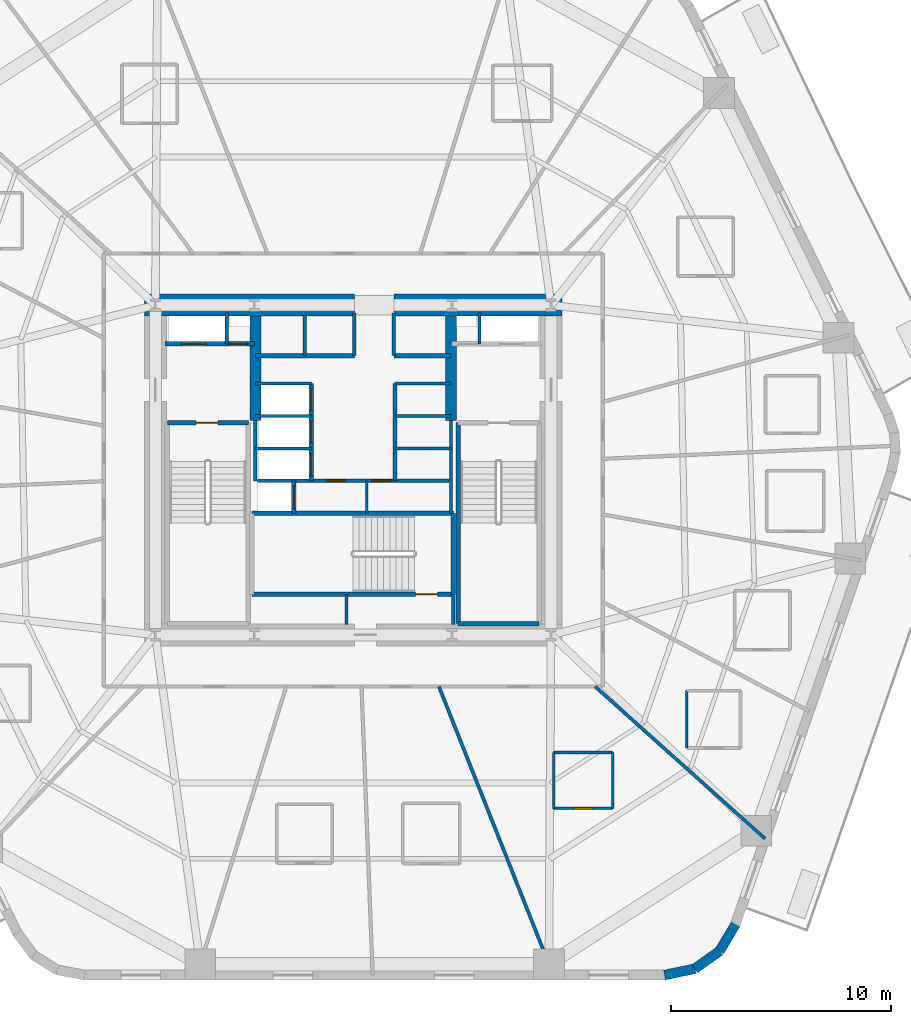
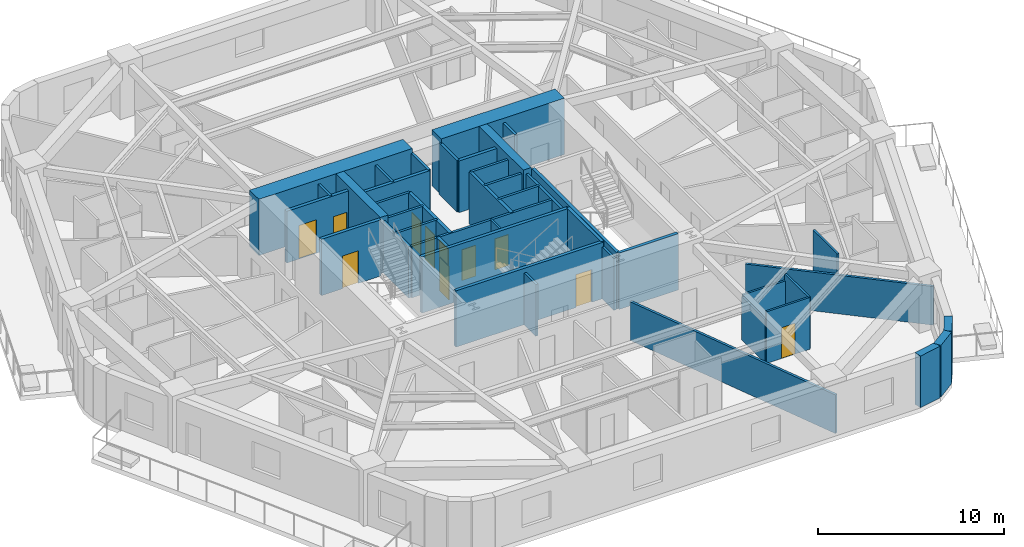
# One storey, part 4 of 10: 43 walls, 11 doors, 11 openings.
"""IFC4 building model written with IfcOpenShell, lengths in metres."""

import ifcopenshell
import ifcopenshell.guid

model = None  # the IFC model being written
_history = None  # IfcOwnerHistory: only IFC2X3 demands one
_inside = {}  # id of a spatial element -> (the spatial element, [elements in it])
_under = {}  # id of a project, library or spatial element -> (it, [spatial elements below it])
_declared = {}  # id of a project -> (the project, [libraries it declares])
_typed = {}  # id of a type object -> (the type object, [elements of that type])
_made_of = {}  # id of a material, layer set ... -> (it, [elements and type objects made of it])


def new_model(schema):
    """Start an empty IFC model of exactly this schema.

    Asked for "IFC4X3", IfcOpenShell would pick the latest addendum, in which some entities
    have other attributes; the version numbers below select the first issue.
    IFC2X3 requires an IfcOwnerHistory on every rooted entity: one is made here for all.
    """
    global model, _history
    if schema == "IFC4X3":
        model = ifcopenshell.file(schema_version=(4, 3, 0, 0))
    else:
        model = ifcopenshell.file(schema=schema)
    _inside.clear()
    _under.clear()
    _declared.clear()
    _typed.clear()
    _made_of.clear()
    _history = None
    if model.schema == "IFC2X3":
        org = make("IfcOrganization", Name="unknown")
        user = make(
            "IfcPersonAndOrganization",
            ThePerson=make("IfcPerson", FamilyName="unknown"),
            TheOrganization=org,
        )
        app = make(
            "IfcApplication",
            ApplicationDeveloper=org,
            Version="unknown",
            ApplicationFullName="unknown",
            ApplicationIdentifier="unknown",
        )
        _history = make(
            "IfcOwnerHistory",
            OwningUser=user,
            OwningApplication=app,
            ChangeAction="ADDED",
            CreationDate=0,
        )
    return model


def make(cls, **values):
    """One entity of the class cls with the attributes given. An attribute that is None is left unset."""
    return model.create_entity(
        cls, **{name: value for name, value in values.items() if value is not None}
    )


def rooted(cls, **values):
    """An entity with a GlobalId (a new one), such as an element, a storey or a relation."""
    return make(cls, GlobalId=ifcopenshell.guid.new(), OwnerHistory=_history, **values)


def si_unit(unit_type, name, prefix=None):
    """IfcSIUnit, for example si_unit("LENGTHUNIT", "METRE", prefix="MILLI")."""
    return make("IfcSIUnit", UnitType=unit_type, Prefix=prefix, Name=name)


def assignment(units):
    """IfcUnitAssignment: the units of a project."""
    return None if units is None else make("IfcUnitAssignment", Units=units)


def point(xyz):
    """IfcCartesianPoint."""
    return None if xyz is None else make("IfcCartesianPoint", Coordinates=xyz)


def direction(xyz):
    """IfcDirection."""
    return None if xyz is None else make("IfcDirection", DirectionRatios=xyz)


def frame(location, z_axis=None, x_axis=None):
    """IfcAxis2Placement3D, a coordinate frame: its origin and axes. An axis left out is left unset."""
    return make(
        "IfcAxis2Placement3D",
        Location=point(location),
        Axis=direction(z_axis),
        RefDirection=direction(x_axis),
    )


def frame_2d(location, x_axis=None):
    """IfcAxis2Placement2D, a coordinate frame in the plane: its origin and x axis."""
    return make(
        "IfcAxis2Placement2D", Location=point(location), RefDirection=direction(x_axis)
    )


def origin():
    """The frame at (0, 0, 0) with its axes left unset."""
    return frame((0.0, 0.0, 0.0))


def place(relative_to, where):
    """IfcLocalPlacement: puts the frame where relative to a parent placement (None: the world)."""
    return make(
        "IfcLocalPlacement", PlacementRelTo=relative_to, RelativePlacement=where
    )


def context(
    kind, dimensions, precision=None, world=None, true_north=None, identifier=None
):
    """IfcGeometricRepresentationContext, for example the 3D "Model" context."""
    return make(
        "IfcGeometricRepresentationContext",
        ContextIdentifier=identifier,
        ContextType=kind,
        CoordinateSpaceDimension=dimensions,
        Precision=precision,
        WorldCoordinateSystem=world,
        TrueNorth=true_north,
    )


def subcontext(parent, identifier, kind, view, scale=None):
    """IfcGeometricRepresentationSubContext, for example "Body" below "Model"."""
    return make(
        "IfcGeometricRepresentationSubContext",
        ContextIdentifier=identifier,
        ContextType=kind,
        ParentContext=parent,
        TargetScale=scale,
        TargetView=view,
    )


def project(units=None, contexts=None):
    """IfcProject with its units and contexts."""
    return rooted(
        "IfcProject",
        Name="project",
        RepresentationContexts=contexts,
        UnitsInContext=assignment(units),
    )


def spatial(cls, under=None, at=None, **own):
    """A site, building, storey or space (cls), placed at a placement, below another one or the project."""
    s = rooted(cls, ObjectPlacement=at, **own)
    if under is not None:
        _under.setdefault(under.id(), (under, []))[1].append(s)
    return s


def profile(cls, at=None, kind="AREA", **sizes):
    """A parametric profile (cls). Its sizes go by their IFC names, for example OverallWidth=200.0."""
    return make(cls, ProfileType=kind, Position=at, **sizes)


def rectangle(**sizes):
    """IfcRectangleProfileDef."""
    return profile("IfcRectangleProfileDef", **sizes)


def extrude(swept, where, along, depth):
    """IfcExtrudedAreaSolid: the profile swept, set in the frame where, extruded along a direction by depth."""
    return make(
        "IfcExtrudedAreaSolid",
        SweptArea=swept,
        Position=where,
        ExtrudedDirection=direction(along),
        Depth=depth,
    )


def shape(context_of_items, identifier, shape_type, items):
    """IfcShapeRepresentation: the items that make up one representation, for example the "Body"."""
    return make(
        "IfcShapeRepresentation",
        ContextOfItems=context_of_items,
        RepresentationIdentifier=identifier,
        RepresentationType=shape_type,
        Items=items,
    )


def material(Name=None, Category=None):
    """IfcMaterial."""
    return make("IfcMaterial", Name=Name, Category=Category)


def layer(
    of_material, thickness, ventilated=None, Name=None, Category=None, Priority=None
):
    """IfcMaterialLayer: one layer of a wall or slab, of a material (None: an air gap)."""
    return make(
        "IfcMaterialLayer",
        Material=of_material,
        LayerThickness=thickness,
        IsVentilated=ventilated,
        Name=Name,
        Category=Category,
        Priority=Priority,
    )


def layer_set(layers, Name=None):
    """IfcMaterialLayerSet."""
    return make("IfcMaterialLayerSet", MaterialLayers=layers, LayerSetName=Name)


def made_of(thing, what):
    """Note that an element or type object is made of a material, layer set ...; save() writes the relation."""
    if what is not None:
        _made_of.setdefault(what.id(), (what, []))[1].append(thing)
    return thing


def type_object(cls, material=None, **own):
    """A type object (cls), such as IfcWallType, which elements share."""
    return made_of(rooted(cls, **own), material)


def element(
    cls,
    number,
    at=None,
    inside=None,
    cuts=None,
    type_object=None,
    material=None,
    context=None,
    identifier="Body",
    shape_type=None,
    held_by="IfcProductDefinitionShape",
    body=None,
    shapes=None,
    **own,
):
    """One element of the class cls, such as IfcWall. Its Tag is "e" and its number.

    at: its placement. inside: the storey or other place that contains it. cuts: it is an
    opening in that element (IfcRelVoidsElement). A single representation is given by context,
    identifier, shape_type and body (its items); several are given by shapes. held_by: the class
    of the entity that holds the representations. save() writes the other relations.
    """
    e = rooted(cls, Tag="e%d" % number, ObjectPlacement=at, **own)
    if body is not None:
        shapes = [shape(context, identifier, shape_type, body)]
    if shapes is not None:
        e.Representation = make(held_by, Representations=shapes)
    if inside is not None:
        _inside.setdefault(inside.id(), (inside, []))[1].append(e)
    if cuts is not None:
        rooted(
            "IfcRelVoidsElement", RelatingBuildingElement=cuts, RelatedOpeningElement=e
        )
    if type_object is not None:
        _typed.setdefault(type_object.id(), (type_object, []))[1].append(e)
    return made_of(e, material)


def fill(opening, filler):
    """IfcRelFillsElement: the door or window that sits in an opening."""
    return rooted(
        "IfcRelFillsElement",
        RelatingOpeningElement=opening,
        RelatedBuildingElement=filler,
    )


def aggregate(whole, parts):
    """IfcRelAggregates: a whole, such as a stair, and the parts it consists of."""
    return rooted("IfcRelAggregates", RelatingObject=whole, RelatedObjects=parts)


def save(model, path):
    """Write the relations noted so far, then the file.

    IfcRelAggregates (storeys below a building ...), IfcRelContainedInSpatialStructure (elements
    in a storey), IfcRelDefinesByType, IfcRelAssociatesMaterial and IfcRelDeclares: one each for
    every whole, place, type object, material and project.
    """
    for whole, parts in _under.values():
        aggregate(whole, parts)
    for where, things in _inside.values():
        rooted(
            "IfcRelContainedInSpatialStructure",
            RelatedElements=things,
            RelatingStructure=where,
        )
    for kind, things in _typed.values():
        rooted("IfcRelDefinesByType", RelatedObjects=things, RelatingType=kind)
    for what, things in _made_of.values():
        rooted("IfcRelAssociatesMaterial", RelatedObjects=things, RelatingMaterial=what)
    for by, libraries in _declared.values():
        rooted("IfcRelDeclares", RelatingContext=by, RelatedDefinitions=libraries)
    model.write(path)


model = new_model("IFC4")

# Units and contexts
model_context = context("Model", 3, precision=1e-05, world=origin(), true_north=direction((0.0, 1.0)))
body_context = subcontext(model_context, "Body", "Model", "MODEL_VIEW")
ifc_project = project(units=[si_unit("LENGTHUNIT", "METRE"), si_unit("AREAUNIT", "SQUARE_METRE"), si_unit("VOLUMEUNIT", "CUBIC_METRE"), si_unit("PLANEANGLEUNIT", "RADIAN"), si_unit("MASSUNIT", "GRAM", prefix="KILO")], contexts=[model_context])

# Site, building, storey
site_placement = place(None, origin())
site = spatial("IfcSite", under=ifc_project, at=site_placement, CompositionType="ELEMENT")
building_placement = place(site_placement, origin())
building = spatial("IfcBuilding", under=site, at=building_placement, Name="Kilnhurst Terrace Hotel", CompositionType="ELEMENT")
storey_placement = place(building_placement, frame((0.0, 0.0, 49.0)))
storey = spatial("IfcBuildingStorey", under=building, at=storey_placement, Name="L10", CompositionType="ELEMENT", Elevation=49.0)

# Walls
ifc_material_1 = material(Name="Precast concrete C40/50", Category="concrete")
ifc_layer_1 = layer(ifc_material_1, 0.449951171875, Name="Precast concrete C40/50")
ifc_layer_set_1 = layer_set([ifc_layer_1], Name="Precast concrete C40/50")
wall_type_1 = type_object("IfcWallType", Name="WL-BRK-450", PredefinedType="SOLIDWALL", material=ifc_layer_set_1)
wall_1_placement = place(storey_placement, frame((14.168212890625, -22.97509765625, 0.0), z_axis=(0.0, 0.0, 1.0), x_axis=(0.978770371074, 0.204959900243, 0.0)))
element("IfcWall", 1, at=wall_1_placement, inside=storey, type_object=wall_type_1, Name="L10 Rounded Corner Brick Wall C2.1", PredefinedType="SOLIDWALL", context=body_context, shape_type="SweptSolid", body=[
    extrude(rectangle(XDim=1.405517578125, YDim=0.449951171875, at=frame_2d((0.70263671875, 0.0))), origin(), (0.0, 0.0, 1.0), 3.39990234375),
])
wall_2_placement = place(storey_placement, frame((15.5439453125, -22.68701171875, 0.0), z_axis=(0.0, 0.0, 1.0), x_axis=(0.814210854316, 0.580569276412, 0.0)))
element("IfcWall", 2, at=wall_2_placement, inside=storey, type_object=wall_type_1, Name="L10 Rounded Corner Brick Wall C2.2", PredefinedType="SOLIDWALL", context=body_context, shape_type="SweptSolid", body=[
    extrude(rectangle(XDim=1.38134765625, YDim=0.449951171875, at=frame_2d((0.690673828125, 0.0))), origin(), (0.0, 0.0, 1.0), 3.39990234375),
])
wall_3_placement = place(storey_placement, frame((16.668701171875, -21.885009765625, 0.0), z_axis=(0.0, 0.0, 1.0), x_axis=(0.512936712947, 0.858426425799, 0.0)))
element("IfcWall", 3, at=wall_3_placement, inside=storey, type_object=wall_type_1, Name="L10 Rounded Corner Brick Wall C2.3", PredefinedType="SOLIDWALL", context=body_context, shape_type="SweptSolid", body=[
    extrude(rectangle(XDim=1.405517578125, YDim=0.449951171875, at=frame_2d((0.70263671875, 0.0))), origin(), (0.0, 0.0, 1.0), 3.39990234375),
])
ifc_material_2 = material(Name="Concrete C80/95", Category="concrete")
ifc_layer_2 = layer(ifc_material_2, 1.0, Name="Concrete C80/95")
ifc_layer_set_2 = layer_set([ifc_layer_2], Name="Concrete C80/95")
wall_type_2 = type_object("IfcWallType", Name="WL-CORE-1000", PredefinedType="SHEAR", material=ifc_layer_set_2)
wall_4_placement = place(storey_placement, frame((-9.5, 7.5, 0.0), z_axis=(0.0, 0.0, 1.0), x_axis=(1.0, 0.0, 0.0)))
element("IfcWall", 4, at=wall_4_placement, inside=storey, type_object=wall_type_2, Name="L10 Core North West Shear Wall", PredefinedType="SHEAR", context=body_context, shape_type="SweptSolid", body=[
    extrude(rectangle(XDim=9.550048828125, YDim=1.0, at=frame_2d((4.77490234375, 0.0))), origin(), (0.0, 0.0, 1.0), 3.699951171875),
])
wall_5_placement = place(storey_placement, frame((1.85009765625, 7.5, 0.0), z_axis=(0.0, 0.0, 1.0), x_axis=(1.0, 0.0, 0.0)))
element("IfcWall", 5, at=wall_5_placement, inside=storey, type_object=wall_type_2, Name="L10 Core North East Shear Wall", PredefinedType="SHEAR", context=body_context, shape_type="SweptSolid", body=[
    extrude(rectangle(XDim=7.64990234375, YDim=1.0, at=frame_2d((3.824951171875, 0.0))), origin(), (0.0, 0.0, 1.0), 3.699951171875),
])
ifc_material_3 = material(Name="Concrete C60/75", Category="concrete")
ifc_layer_3 = layer(ifc_material_3, 0.5, Name="Concrete C60/75")
ifc_layer_set_3 = layer_set([ifc_layer_3], Name="Concrete C60/75")
wall_type_3 = type_object("IfcWallType", Name="WL-CORE-WEB-500", PredefinedType="SHEAR", material=ifc_layer_set_3)
for number, where, z_axis, x_axis, name in (
    (6, (-4.449951171875, 2.25, 0.0), (0.0, 0.0, 1.0), (0.0, 1.0, 0.0), "L10 Core Internal West Shear Web"),
    (7, (4.449951171875, 2.25, 0.0), (0.0, 0.0, 1.0), (0.0, 1.0, 0.0), "L10 Core Internal East Shear Web"),
):
    element("IfcWall", number, at=place(storey_placement, frame(where, z_axis=z_axis, x_axis=x_axis)), inside=storey, type_object=wall_type_3, Name=name, PredefinedType="SHEAR", context=body_context, shape_type="SweptSolid", body=[
        extrude(rectangle(XDim=4.75, YDim=0.5, at=frame_2d((2.375, 0.0))), origin(), (0.0, 0.0, 1.0), 3.699951171875),
    ])
ifc_material_4 = material(Name="STC-58 Acoustic Twin-Frame Guestroom Demising Partition")
ifc_layer_4 = layer(ifc_material_4, 0.14990234375, Name="STC-58 Acoustic Twin-Frame Guestroom Demising Partition")
ifc_layer_set_4 = layer_set([ifc_layer_4], Name="STC-58 Acoustic Twin-Frame Guestroom Demising Partition")
wall_type_4 = type_object("IfcWallType", Name="WL-DEM-150", PredefinedType="PARTITIONING", material=ifc_layer_set_4)
wall_6_placement = place(storey_placement, frame((3.90185546875, -9.85009765625, 0.0), z_axis=(0.0, 0.0, 1.0), x_axis=(0.36828765711, -0.929711891728, 0.0)))
element("IfcWall", 8, at=wall_6_placement, inside=storey, type_object=wall_type_4, Name="L10 Interior Wall WL-L10-DEM-COL10-16-1", PredefinedType="PARTITIONING", context=body_context, shape_type="SweptSolid", body=[
    extrude(rectangle(XDim=14.1171875, YDim=0.14990234375, at=frame_2d((7.05859375, 0.0))), origin(), (0.0, 0.0, 1.0), 2.5400390625),
])
wall_7_placement = place(storey_placement, frame((11.006591796875, -9.85009765625, 0.0), z_axis=(0.0, 0.0, 1.0), x_axis=(0.745177305978, -0.666866390407, 0.0)))
element("IfcWall", 9, at=wall_7_placement, inside=storey, type_object=wall_type_4, Name="L10 Interior Wall WL-L10-DEM-COL11-17-1", PredefinedType="PARTITIONING", context=body_context, shape_type="SweptSolid", body=[
    extrude(rectangle(XDim=10.375244140625, YDim=0.14990234375, at=frame_2d((5.1875, 0.0))), origin(), (0.0, 0.0, 1.0), 2.5400390625),
])
ifc_material_5 = material(Name="120 mm Moisture-Resistant Tile-Backed Bathroom Partition")
ifc_layer_5 = layer(ifc_material_5, 0.1201171875, Name="120 mm Moisture-Resistant Tile-Backed Bathroom Partition")
ifc_layer_set_5 = layer_set([ifc_layer_5], Name="120 mm Moisture-Resistant Tile-Backed Bathroom Partition")
wall_type_5 = type_object("IfcWallType", Name="WL-PART-120", PredefinedType="PARTITIONING", material=ifc_layer_set_5)
wall_8_placement = place(storey_placement, frame((0.6201171875, -1.971923828125, 0.0), z_axis=(0.0, 0.0, 1.0), x_axis=(0.0, 1.0, 0.0)))
element("IfcWall", 10, at=wall_8_placement, inside=storey, type_object=wall_type_5, Name="L10 Interior Wall WL-L10-BOH-C1", PredefinedType="PARTITIONING", context=body_context, shape_type="SweptSolid", body=[
    extrude(rectangle(XDim=1.471923828125, YDim=0.1201171875, at=frame_2d((0.73583984375, 0.0))), origin(), (0.0, 0.0, 1.0), 3.39990234375),
])

# Wall, opening, door
wall_9_placement = place(storey_placement, frame((9.1220703125, -15.387939453125, 0.0), z_axis=(0.0, 0.0, 1.0), x_axis=(1.0, 0.0, 0.0)))
wall_9 = element("IfcWall", 11, at=wall_9_placement, inside=storey, type_object=wall_type_5, Name="L10 Interior Wall WL-L10-BTH-16-1", PredefinedType="PARTITIONING", context=body_context, shape_type="SweptSolid", body=[
    extrude(rectangle(XDim=2.679931640625, YDim=0.1201171875, at=frame_2d((1.33984375, 0.0))), origin(), (0.0, 0.0, 1.0), 3.39990234375),
])
opening_1_placement = place(wall_9_placement, frame((0.9150390625, 0.0, 0.0)))
opening_1 = element("IfcOpeningElement", 12, at=opening_1_placement, cuts=wall_9, Name="Opening D-08A", PredefinedType="OPENING", context=body_context, shape_type="SweptSolid", body=[
    extrude(rectangle(XDim=0.85009765625, YDim=2.030029296875, at=frame_2d((0.425048828125, 1.01513671875))), frame((0.0, 0.070068359375, 0.0), z_axis=(0.0, -1.0, 0.0), x_axis=(1.0, 0.0, 0.0)), (0.0, 0.0, 1.0), 0.14013671875),
])
ifc_material_6 = material(Name="Moisture-Resistant Lacquered En-suite Bathroom Door")
door_type_1 = type_object("IfcDoorType", Name="DR-INT-850", OperationType="NOTDEFINED", PredefinedType="DOOR", material=ifc_material_6)
door_1_placement = place(opening_1_placement, origin())
door_1 = element("IfcDoor", 13, at=door_1_placement, inside=storey, type_object=door_type_1, Name="L10 En-suite Bathroom Door 16", OperationType="SINGLE_SWING_LEFT", OverallHeight=2.030029296875, OverallWidth=0.85009765625, PredefinedType="DOOR", context=body_context, shape_type="SweptSolid", body=[
    extrude(rectangle(XDim=0.85009765625, YDim=2.030029296875, at=frame_2d((0.425048828125, 1.01513671875))), frame((0.0, 0.02490234375, 0.0), z_axis=(0.0, -1.0, 0.0), x_axis=(1.0, 0.0, 0.0)), (0.0, 0.0, 1.0), 0.050048828125),
])
fill(opening_1, door_1)

# Walls
wall_10_placement = place(storey_placement, frame((11.802001953125, -15.387939453125, 0.0), z_axis=(0.0, 0.0, 1.0), x_axis=(0.0, 1.0, 0.0)))
element("IfcWall", 14, at=wall_10_placement, inside=storey, type_object=wall_type_5, Name="L10 Interior Wall WL-L10-BTH-16-2", PredefinedType="PARTITIONING", context=body_context, shape_type="SweptSolid", body=[
    extrude(rectangle(XDim=2.5400390625, YDim=0.1201171875, at=frame_2d((1.27001953125, 0.0))), origin(), (0.0, 0.0, 1.0), 3.39990234375),
])
wall_11_placement = place(storey_placement, frame((11.802001953125, -12.847900390625, 0.0), z_axis=(0.0, 0.0, 1.0), x_axis=(-1.0, 0.0, 0.0)))
element("IfcWall", 15, at=wall_11_placement, inside=storey, type_object=wall_type_5, Name="L10 Interior Wall WL-L10-BTH-16-3", PredefinedType="PARTITIONING", context=body_context, shape_type="SweptSolid", body=[
    extrude(rectangle(XDim=2.679931640625, YDim=0.1201171875, at=frame_2d((1.33984375, 0.0))), origin(), (0.0, 0.0, 1.0), 2.972412109375),
])
wall_12_placement = place(storey_placement, frame((9.1220703125, -12.847900390625, 0.0), z_axis=(0.0, 0.0, 1.0), x_axis=(0.0, -1.0, 0.0)))
element("IfcWall", 16, at=wall_12_placement, inside=storey, type_object=wall_type_5, Name="L10 Interior Wall WL-L10-BTH-16-4", PredefinedType="PARTITIONING", context=body_context, shape_type="SweptSolid", body=[
    extrude(rectangle(XDim=2.5400390625, YDim=0.1201171875, at=frame_2d((1.27001953125, 0.0))), origin(), (0.0, 0.0, 1.0), 2.840087890625),
])
wall_13_placement = place(storey_placement, frame((15.177978515625, -10.037109375, 0.0), z_axis=(0.0, 0.0, 1.0), x_axis=(0.0, -1.0, 0.0)))
element("IfcWall", 17, at=wall_13_placement, inside=storey, type_object=wall_type_5, Name="L10 Interior Wall WL-L10-BTH-17-4", PredefinedType="PARTITIONING", context=body_context, shape_type="SweptSolid", body=[
    extrude(rectangle(XDim=2.60986328125, YDim=0.1201171875, at=frame_2d((1.304931640625, 0.0))), origin(), (0.0, 0.0, 1.0), 3.39990234375),
])
ifc_material_7 = material(Name="Fire-Rated Gypsum Shaftliner Assembly")
ifc_layer_6 = layer(ifc_material_7, 0.14990234375, Name="Fire-Rated Gypsum Shaftliner Assembly")
ifc_layer_set_6 = layer_set([ifc_layer_6], Name="Fire-Rated Gypsum Shaftliner Assembly")
wall_type_6 = type_object("IfcWallType", Name="WL-SHAFT-150", PredefinedType="PARTITIONING", material=ifc_layer_set_6)
for number, where, z_axis, x_axis, name in (
    (18, (-0.300048828125, -7.02001953125, 0.0), (0.0, 0.0, 1.0), (0.0, 1.0, 0.0), "L10 Interior Wall WL-L10-ST3-PSGW"),
    (19, (4.55810546875, -7.02001953125, 0.0), (0.0, 0.0, 1.0), (0.0, 1.0, 0.0), "L10 Interior Wall WL-L10-ST3-PSGE"),
):
    element("IfcWall", number, at=place(storey_placement, frame(where, z_axis=z_axis, x_axis=x_axis)), inside=storey, type_object=wall_type_6, Name=name, PredefinedType="PARTITIONING", context=body_context, shape_type="SweptSolid", body=[
        extrude(rectangle(XDim=1.362060546875, YDim=0.14990234375, at=frame_2d((0.68115234375, 0.0))), origin(), (0.0, 0.0, 1.0), 3.39990234375),
    ])
for number, where, z_axis, x_axis, name in (
    (20, (-5.75, 5.739990234375, 0.0), (0.0, 0.0, 1.0), (0.0, 1.0, 0.0), "L10 Interior Wall WL-L10-RIS1-DIV"),
    (21, (5.75, 5.739990234375, 0.0), (0.0, 0.0, 1.0), (0.0, 1.0, 0.0), "L10 Interior Wall WL-L10-RIS2-DIV"),
):
    element("IfcWall", number, at=place(storey_placement, frame(where, z_axis=z_axis, x_axis=x_axis)), inside=storey, type_object=wall_type_6, Name=name, PredefinedType="PARTITIONING", context=body_context, shape_type="SweptSolid", body=[
        extrude(rectangle(XDim=1.409912109375, YDim=0.14990234375, at=frame_2d((0.705078125, 0.0))), origin(), (0.0, 0.0, 1.0), 3.39990234375),
    ])
wall_14_placement = place(storey_placement, frame((-2.199951171875, 5.199951171875, 0.0), z_axis=(0.0, 0.0, 1.0), x_axis=(0.0, 1.0, 0.0)))
element("IfcWall", 22, at=wall_14_placement, inside=storey, type_object=wall_type_6, Name="L10 Interior Wall WL-L10-HR-DIV1", PredefinedType="PARTITIONING", context=body_context, shape_type="SweptSolid", body=[
    extrude(rectangle(XDim=1.85009765625, YDim=0.14990234375, at=frame_2d((0.925048828125, 0.0))), origin(), (0.0, 0.0, 1.0), 3.39990234375),
])
for number, where, z_axis, x_axis, name in (
    (23, (0.050048828125, 5.199951171875, 0.0), (0.0, 0.0, 1.0), (0.0, 1.0, 0.0), "L10 Interior Wall WL-L10-HR-PORTAL-W"),
    (24, (1.85009765625, 5.199951171875, 0.0), (0.0, 0.0, 1.0), (0.0, 1.0, 0.0), "L10 Interior Wall WL-L10-HR-PORTAL-E"),
):
    element("IfcWall", number, at=place(storey_placement, frame(where, z_axis=z_axis, x_axis=x_axis)), inside=storey, type_object=wall_type_6, Name=name, PredefinedType="PARTITIONING", context=body_context, shape_type="SweptSolid", body=[
        extrude(rectangle(XDim=1.949951171875, YDim=0.14990234375, at=frame_2d((0.97509765625, 0.0))), origin(), (0.0, 0.0, 1.0), 3.39990234375),
    ])
wall_15_placement = place(storey_placement, frame((-4.449951171875, -0.5, 0.0), z_axis=(0.0, 0.0, 1.0), x_axis=(0.0, 1.0, 0.0)))
element("IfcWall", 25, at=wall_15_placement, inside=storey, type_object=wall_type_6, Name="L10 Interior Wall WL-L10-XLOB-W", PredefinedType="PARTITIONING", context=body_context, shape_type="SweptSolid", body=[
    extrude(rectangle(XDim=2.75, YDim=0.14990234375, at=frame_2d((1.375, 0.0))), origin(), (0.0, 0.0, 1.0), 3.39990234375),
])
wall_16_placement = place(storey_placement, frame((4.449951171875, -1.971923828125, 0.0), z_axis=(0.0, 0.0, 1.0), x_axis=(0.0, 1.0, 0.0)))
element("IfcWall", 26, at=wall_16_placement, inside=storey, type_object=wall_type_6, Name="L10 Interior Wall WL-L10-XLOB-E", PredefinedType="PARTITIONING", context=body_context, shape_type="SweptSolid", body=[
    extrude(rectangle(XDim=4.221923828125, YDim=0.14990234375, at=frame_2d((2.11083984375, 0.0))), origin(), (0.0, 0.0, 1.0), 3.39990234375),
])
for number, where, z_axis, x_axis, name in (
    (27, (-4.449951171875, 3.93994140625, 0.0), (0.0, 0.0, 1.0), (1.0, 0.0, 0.0), "L10 Interior Wall WL-L10-LR-NORTH"),
    (28, (-4.449951171875, 0.97998046875, 0.0), (0.0, 0.0, 1.0), (1.0, 0.0, 0.0), "L10 Interior Wall WL-L10-LR-D1"),
    (29, (-4.449951171875, 2.4599609375, 0.0), (0.0, 0.0, 1.0), (1.0, 0.0, 0.0), "L10 Interior Wall WL-L10-LR-D2"),
    (30, (1.89990234375, 3.93994140625, 0.0), (0.0, 0.0, 1.0), (1.0, 0.0, 0.0), "L10 Interior Wall WL-L10-MR-NORTH"),
    (31, (1.89990234375, 0.97998046875, 0.0), (0.0, 0.0, 1.0), (1.0, 0.0, 0.0), "L10 Interior Wall WL-L10-MR-D1"),
    (32, (1.89990234375, 2.4599609375, 0.0), (0.0, 0.0, 1.0), (1.0, 0.0, 0.0), "L10 Interior Wall WL-L10-MR-D2"),
):
    element("IfcWall", number, at=place(storey_placement, frame(where, z_axis=z_axis, x_axis=x_axis)), inside=storey, type_object=wall_type_6, Name=name, PredefinedType="PARTITIONING", context=body_context, shape_type="SweptSolid", body=[
        extrude(rectangle(XDim=2.550048828125, YDim=0.14990234375, at=frame_2d((1.27490234375, 0.0))), origin(), (0.0, 0.0, 1.0), 3.39990234375),
    ])

# Wall, openings, doors
wall_17_placement = place(storey_placement, frame((-4.360107421875, -0.489990234375, 0.0), z_axis=(0.0, 0.0, 1.0), x_axis=(1.0, 0.0, 0.0)))
wall_17 = element("IfcWall", 33, at=wall_17_placement, inside=storey, type_object=wall_type_6, Name="L10 Interior Wall WL-L10-BOH-N", PredefinedType="PARTITIONING", context=body_context, shape_type="SweptSolid", body=[
    extrude(rectangle(XDim=8.72021484375, YDim=0.14990234375, at=frame_2d((4.360107421875, 0.0))), origin(), (0.0, 0.0, 1.0), 3.39990234375),
])
opening_2_placement = place(wall_17_placement, frame((3.159912109375, 0.0, 0.0)))
opening_2 = element("IfcOpeningElement", 34, at=opening_2_placement, cuts=wall_17, Name="Opening D-60D", PredefinedType="OPENING", context=body_context, shape_type="SweptSolid", body=[
    extrude(rectangle(XDim=0.85009765625, YDim=2.030029296875, at=frame_2d((0.425048828125, 1.01513671875))), frame((0.0, 0.0849609375, 0.0), z_axis=(0.0, -1.0, 0.0), x_axis=(1.0, 0.0, 0.0)), (0.0, 0.0, 1.0), 0.169921875),
])
opening_3_placement = place(wall_17_placement, frame((5.2099609375, 0.0, 0.0)))
opening_3 = element("IfcOpeningElement", 35, at=opening_3_placement, cuts=wall_17, Name="Opening D-60D", PredefinedType="OPENING", context=body_context, shape_type="SweptSolid", body=[
    extrude(rectangle(XDim=0.85009765625, YDim=2.030029296875, at=frame_2d((0.425048828125, 1.01513671875))), frame((0.0, 0.0849609375, 0.0), z_axis=(0.0, -1.0, 0.0), x_axis=(1.0, 0.0, 0.0)), (0.0, 0.0, 1.0), 0.169921875),
])
ifc_material_8 = material(Name="Painted Hollow Metal Steel ASTM A36 Riser Door", Category="steel")
door_type_2 = type_object("IfcDoorType", Name="DR-FD60-850", OperationType="NOTDEFINED", PredefinedType="DOOR", material=ifc_material_8)
door_2_placement = place(opening_2_placement, origin())
door_2 = element("IfcDoor", 36, at=door_2_placement, inside=storey, type_object=door_type_2, Name="L10 Housekeeping Laundry Door", OperationType="SINGLE_SWING_LEFT", OverallHeight=2.030029296875, OverallWidth=0.85009765625, PredefinedType="DOOR", context=body_context, shape_type="SweptSolid", body=[
    extrude(rectangle(XDim=0.85009765625, YDim=2.030029296875, at=frame_2d((0.425048828125, 1.01513671875))), frame((0.0, 0.02490234375, 0.0), z_axis=(0.0, -1.0, 0.0), x_axis=(1.0, 0.0, 0.0)), (0.0, 0.0, 1.0), 0.050048828125),
])
fill(opening_2, door_2)
door_3_placement = place(opening_3_placement, origin())
door_3 = element("IfcDoor", 37, at=door_3_placement, inside=storey, type_object=door_type_2, Name="L10 Room Service Kitchen Door", OperationType="SINGLE_SWING_RIGHT", OverallHeight=2.030029296875, OverallWidth=0.85009765625, PredefinedType="DOOR", context=body_context, shape_type="SweptSolid", body=[
    extrude(rectangle(XDim=0.85009765625, YDim=2.030029296875, at=frame_2d((0.425048828125, 1.01513671875))), frame((0.0, 0.02490234375, 0.0), z_axis=(0.0, -1.0, 0.0), x_axis=(1.0, 0.0, 0.0)), (0.0, 0.0, 1.0), 0.050048828125),
])
fill(opening_3, door_3)

ifc_material_9 = material(Name="Autoclaved Aerated Concrete C30/37 and Gypsum Shaft Assembly", Category="concrete")
ifc_layer_7 = layer(ifc_material_9, 0.199951171875, Name="Autoclaved Aerated Concrete C30/37 and Gypsum Shaft Assembly")
ifc_layer_set_7 = layer_set([ifc_layer_7], Name="Autoclaved Aerated Concrete C30/37 and Gypsum Shaft Assembly")
wall_type_7 = type_object("IfcWallType", Name="WL-SHAFT-200", PredefinedType="PARTITIONING", material=ifc_layer_set_7)
wall_18_placement = place(storey_placement, frame((-8.550048828125, 5.739990234375, 0.0), z_axis=(0.0, 0.0, 1.0), x_axis=(1.0, 0.0, 0.0)))
wall_18 = element("IfcWall", 38, at=wall_18_placement, inside=storey, type_object=wall_type_7, Name="L10 Interior Wall WL-L10-FSAE1-S", PredefinedType="PARTITIONING", context=body_context, shape_type="SweptSolid", body=[
    extrude(rectangle(XDim=4.050048828125, YDim=0.199951171875, at=frame_2d((2.02490234375, 0.0))), origin(), (0.0, 0.0, 1.0), 3.39990234375),
])
opening_4_placement = place(wall_18_placement, frame((0.75, 0.0, 0.0)))
opening_4 = element("IfcOpeningElement", 39, at=opening_4_placement, cuts=wall_18, Name="Opening LD-F1", PredefinedType="OPENING", context=body_context, shape_type="SweptSolid", body=[
    extrude(rectangle(XDim=1.10009765625, YDim=2.199951171875, at=frame_2d((0.550048828125, 1.10009765625))), frame((0.0, 0.10986328125, 0.0), z_axis=(0.0, -1.0, 0.0), x_axis=(1.0, 0.0, 0.0)), (0.0, 0.0, 1.0), 0.219970703125),
])
opening_5_placement = place(wall_18_placement, frame((2.89990234375, 0.0, 0.0)))
opening_5 = element("IfcOpeningElement", 40, at=opening_5_placement, cuts=wall_18, Name="Opening D-60D", PredefinedType="OPENING", context=body_context, shape_type="SweptSolid", body=[
    extrude(rectangle(XDim=0.85009765625, YDim=2.030029296875, at=frame_2d((0.425048828125, 1.01513671875))), frame((0.0, 0.10986328125, 0.0), z_axis=(0.0, -1.0, 0.0), x_axis=(1.0, 0.0, 0.0)), (0.0, 0.0, 1.0), 0.219970703125),
])
door_4_placement = place(opening_5_placement, origin())
door_4 = element("IfcDoor", 41, at=door_4_placement, inside=storey, type_object=door_type_2, Name="L10 Electrical Riser Door", OperationType="SINGLE_SWING_LEFT", OverallHeight=2.030029296875, OverallWidth=0.85009765625, PredefinedType="DOOR", context=body_context, shape_type="SweptSolid", body=[
    extrude(rectangle(XDim=0.85009765625, YDim=2.030029296875, at=frame_2d((0.425048828125, 1.01513671875))), frame((0.0, 0.02490234375, 0.0), z_axis=(0.0, -1.0, 0.0), x_axis=(1.0, 0.0, 0.0)), (0.0, 0.0, 1.0), 0.050048828125),
])
fill(opening_5, door_4)
ifc_material_10 = material(Name="Bronze-Anodized Stainless Steel AISI 316L Sliding Door", Category="steel")
door_type_3 = type_object("IfcDoorType", Name="DR-LIFT-1100", OperationType="NOTDEFINED", PredefinedType="DOOR", material=ifc_material_10)
door_5_placement = place(opening_4_placement, origin())
door_5 = element("IfcDoor", 42, at=door_5_placement, inside=storey, type_object=door_type_3, Name="L10 FSAE-1 Landing Door", OperationType="SLIDING_TO_LEFT", OverallHeight=2.199951171875, OverallWidth=1.10009765625, PredefinedType="DOOR", context=body_context, shape_type="SweptSolid", body=[
    extrude(rectangle(XDim=1.10009765625, YDim=2.199951171875, at=frame_2d((0.550048828125, 1.10009765625))), frame((0.0, 0.02490234375, 0.0), z_axis=(0.0, -1.0, 0.0), x_axis=(1.0, 0.0, 0.0)), (0.0, 0.0, 1.0), 0.050048828125),
])
fill(opening_4, door_5)

# Wall, opening, door
wall_19_placement = place(storey_placement, frame((-2.699951171875, -1.971923828125, 0.0), z_axis=(0.0, 0.0, 1.0), x_axis=(0.0, 1.0, 0.0)))
wall_19 = element("IfcWall", 43, at=wall_19_placement, inside=storey, type_object=wall_type_7, Name="L10 Interior Wall WL-L10-SRV1-E", PredefinedType="PARTITIONING", context=body_context, shape_type="SweptSolid", body=[
    extrude(rectangle(XDim=1.471923828125, YDim=0.199951171875, at=frame_2d((0.73583984375, 0.0))), origin(), (0.0, 0.0, 1.0), 3.39990234375),
])
opening_6_placement = place(wall_19_placement, frame((0.239990234375, 0.0, 0.0)))
opening_6 = element("IfcOpeningElement", 44, at=opening_6_placement, cuts=wall_19, Name="Opening LD-SV", PredefinedType="OPENING", context=body_context, shape_type="SweptSolid", body=[
    extrude(rectangle(XDim=1.0, YDim=2.199951171875, at=frame_2d((0.5, 1.10009765625))), frame((0.0, 0.10986328125, 0.0), z_axis=(0.0, -1.0, 0.0), x_axis=(1.0, 0.0, 0.0)), (0.0, 0.0, 1.0), 0.219970703125),
])
door_type_4 = type_object("IfcDoorType", Name="DR-LIFT-1000", OperationType="NOTDEFINED", PredefinedType="DOOR", material=ifc_material_10)
door_6_placement = place(opening_6_placement, origin())
door_6 = element("IfcDoor", 45, at=door_6_placement, inside=storey, type_object=door_type_4, Name="L10 Service Lift SRV-1 Landing Door", OperationType="SLIDING_TO_LEFT", OverallHeight=2.199951171875, OverallWidth=1.0, PredefinedType="DOOR", context=body_context, shape_type="SweptSolid", body=[
    extrude(rectangle(XDim=1.0, YDim=2.199951171875, at=frame_2d((0.5, 1.10009765625))), frame((0.0, 0.02490234375, 0.0), z_axis=(0.0, -1.0, 0.0), x_axis=(1.0, 0.0, 0.0)), (0.0, 0.0, 1.0), 0.050048828125),
])
fill(opening_6, door_6)

# Walls
wall_20_placement = place(storey_placement, frame((-4.449951171875, 5.199951171875, 0.0), z_axis=(0.0, 0.0, 1.0), x_axis=(1.0, 0.0, 0.0)))
element("IfcWall", 46, at=wall_20_placement, inside=storey, type_object=wall_type_7, Name="L10 Interior Wall WL-L10-HR-SW", PredefinedType="PARTITIONING", context=body_context, shape_type="SweptSolid", body=[
    extrude(rectangle(XDim=4.5, YDim=0.199951171875, at=frame_2d((2.25, 0.0))), origin(), (0.0, 0.0, 1.0), 3.39990234375),
])
wall_21_placement = place(storey_placement, frame((1.85009765625, 5.199951171875, 0.0), z_axis=(0.0, 0.0, 1.0), x_axis=(1.0, 0.0, 0.0)))
element("IfcWall", 47, at=wall_21_placement, inside=storey, type_object=wall_type_7, Name="L10 Interior Wall WL-L10-HR-SE", PredefinedType="PARTITIONING", context=body_context, shape_type="SweptSolid", body=[
    extrude(rectangle(XDim=2.599853515625, YDim=0.199951171875, at=frame_2d((1.2998046875, 0.0))), origin(), (0.0, 0.0, 1.0), 3.39990234375),
])

# Wall, openings, doors
wall_22_placement = place(storey_placement, frame((-1.89990234375, -0.5, 0.0), z_axis=(0.0, 0.0, 1.0), x_axis=(0.0, 1.0, 0.0)))
wall_22 = element("IfcWall", 48, at=wall_22_placement, inside=storey, type_object=wall_type_7, Name="L10 Interior Wall WL-L10-LR-FRONT", PredefinedType="PARTITIONING", context=body_context, shape_type="SweptSolid", body=[
    extrude(rectangle(XDim=4.43994140625, YDim=0.199951171875, at=frame_2d((2.219970703125, 0.0))), origin(), (0.0, 0.0, 1.0), 3.39990234375),
])
opening_7_placement = place(wall_22_placement, frame((0.239990234375, 0.0, 0.0)))
opening_7 = element("IfcOpeningElement", 49, at=opening_7_placement, cuts=wall_22, Name="Opening LD-LR", PredefinedType="OPENING", context=body_context, shape_type="SweptSolid", body=[
    extrude(rectangle(XDim=1.0, YDim=2.199951171875, at=frame_2d((0.5, 1.10009765625))), frame((0.0, 0.10986328125, 0.0), z_axis=(0.0, -1.0, 0.0), x_axis=(1.0, 0.0, 0.0)), (0.0, 0.0, 1.0), 0.219970703125),
])
opening_8_placement = place(wall_22_placement, frame((1.719970703125, 0.0, 0.0)))
opening_8 = element("IfcOpeningElement", 50, at=opening_8_placement, cuts=wall_22, Name="Opening LD-LR", PredefinedType="OPENING", context=body_context, shape_type="SweptSolid", body=[
    extrude(rectangle(XDim=1.0, YDim=2.199951171875, at=frame_2d((0.5, 1.10009765625))), frame((0.0, 0.10986328125, 0.0), z_axis=(0.0, -1.0, 0.0), x_axis=(1.0, 0.0, 0.0)), (0.0, 0.0, 1.0), 0.219970703125),
])
opening_9_placement = place(wall_22_placement, frame((3.199951171875, 0.0, 0.0)))
opening_9 = element("IfcOpeningElement", 51, at=opening_9_placement, cuts=wall_22, Name="Opening LD-LR", PredefinedType="OPENING", context=body_context, shape_type="SweptSolid", body=[
    extrude(rectangle(XDim=1.0, YDim=2.199951171875, at=frame_2d((0.5, 1.10009765625))), frame((0.0, 0.10986328125, 0.0), z_axis=(0.0, -1.0, 0.0), x_axis=(1.0, 0.0, 0.0)), (0.0, 0.0, 1.0), 0.219970703125),
])
door_7_placement = place(opening_7_placement, origin())
door_7 = element("IfcDoor", 52, at=door_7_placement, inside=storey, type_object=door_type_4, Name="L10 Low Rise Lift LR-1 Landing Door", OperationType="SLIDING_TO_LEFT", OverallHeight=2.199951171875, OverallWidth=1.0, PredefinedType="DOOR", context=body_context, shape_type="SweptSolid", body=[
    extrude(rectangle(XDim=1.0, YDim=2.199951171875, at=frame_2d((0.5, 1.10009765625))), frame((0.0, 0.02490234375, 0.0), z_axis=(0.0, -1.0, 0.0), x_axis=(1.0, 0.0, 0.0)), (0.0, 0.0, 1.0), 0.050048828125),
])
fill(opening_7, door_7)
door_8_placement = place(opening_8_placement, origin())
door_8 = element("IfcDoor", 53, at=door_8_placement, inside=storey, type_object=door_type_4, Name="L10 Low Rise Lift LR-2 Landing Door", OperationType="SLIDING_TO_LEFT", OverallHeight=2.199951171875, OverallWidth=1.0, PredefinedType="DOOR", context=body_context, shape_type="SweptSolid", body=[
    extrude(rectangle(XDim=1.0, YDim=2.199951171875, at=frame_2d((0.5, 1.10009765625))), frame((0.0, 0.02490234375, 0.0), z_axis=(0.0, -1.0, 0.0), x_axis=(1.0, 0.0, 0.0)), (0.0, 0.0, 1.0), 0.050048828125),
])
fill(opening_8, door_8)
door_9_placement = place(opening_9_placement, origin())
door_9 = element("IfcDoor", 54, at=door_9_placement, inside=storey, type_object=door_type_4, Name="L10 Low Rise Lift LR-3 Landing Door", OperationType="SLIDING_TO_LEFT", OverallHeight=2.199951171875, OverallWidth=1.0, PredefinedType="DOOR", context=body_context, shape_type="SweptSolid", body=[
    extrude(rectangle(XDim=1.0, YDim=2.199951171875, at=frame_2d((0.5, 1.10009765625))), frame((0.0, 0.02490234375, 0.0), z_axis=(0.0, -1.0, 0.0), x_axis=(1.0, 0.0, 0.0)), (0.0, 0.0, 1.0), 0.050048828125),
])
fill(opening_9, door_9)

# Wall
wall_23_placement = place(storey_placement, frame((1.89990234375, -0.5, 0.0), z_axis=(0.0, 0.0, 1.0), x_axis=(0.0, 1.0, 0.0)))
element("IfcWall", 55, at=wall_23_placement, inside=storey, type_object=wall_type_7, Name="L10 Interior Wall WL-L10-MR-FRONT", PredefinedType="PARTITIONING", context=body_context, shape_type="SweptSolid", body=[
    extrude(rectangle(XDim=4.43994140625, YDim=0.199951171875, at=frame_2d((2.219970703125, 0.0))), origin(), (0.0, 0.0, 1.0), 3.39990234375),
])

# Wall, opening, door
ifc_material_11 = material(Name="Concrete C50/60", Category="concrete")
ifc_layer_8 = layer(ifc_material_11, 0.199951171875, Name="Concrete C50/60")
ifc_layer_set_8 = layer_set([ifc_layer_8], Name="Concrete C50/60")
wall_type_8 = type_object("IfcWallType", Name="WL-STAIR-RC-200", PredefinedType="SHEAR", material=ifc_layer_set_8)
wall_24_placement = place(storey_placement, frame((-8.4580078125, 2.157958984375, 0.0), z_axis=(0.0, 0.0, 1.0), x_axis=(1.0, 0.0, 0.0)))
wall_24 = element("IfcWall", 56, at=wall_24_placement, inside=storey, type_object=wall_type_8, Name="L10 Structural Stair Shaft Wall WL-L10-ST1-N", PredefinedType="SHEAR", context=body_context, shape_type="SweptSolid", body=[
    extrude(rectangle(XDim=3.68603515625, YDim=0.199951171875, at=frame_2d((1.843017578125, 0.0))), origin(), (0.0, 0.0, 1.0), 3.699951171875),
])
opening_10_placement = place(wall_24_placement, frame((1.300048828125, 0.0, 0.0)))
opening_10 = element("IfcOpeningElement", 57, at=opening_10_placement, cuts=wall_24, Name="Opening D-90B", PredefinedType="OPENING", context=body_context, shape_type="SweptSolid", body=[
    extrude(rectangle(XDim=1.0, YDim=2.14990234375, at=frame_2d((0.5, 1.074951171875))), frame((0.0, 0.10986328125, 0.0), z_axis=(0.0, -1.0, 0.0), x_axis=(1.0, 0.0, 0.0)), (0.0, 0.0, 1.0), 0.219970703125),
])
ifc_material_12 = material(Name="Painted Hollow Metal Steel ASTM A36 Fire Door", Category="steel")
door_type_5 = type_object("IfcDoorType", Name="DR-FD90-1000", OperationType="NOTDEFINED", PredefinedType="DOOR", material=ifc_material_12)
door_10_placement = place(opening_10_placement, origin())
door_10 = element("IfcDoor", 58, at=door_10_placement, inside=storey, type_object=door_type_5, Name="L10 Stair ST-1 Door", OperationType="SINGLE_SWING_LEFT", OverallHeight=2.14990234375, OverallWidth=1.0, PredefinedType="DOOR", context=body_context, shape_type="SweptSolid", body=[
    extrude(rectangle(XDim=1.0, YDim=2.14990234375, at=frame_2d((0.5, 1.074951171875))), frame((0.0, 0.02490234375, 0.0), z_axis=(0.0, -1.0, 0.0), x_axis=(1.0, 0.0, 0.0)), (0.0, 0.0, 1.0), 0.050048828125),
])
fill(opening_10, door_10)

# Walls
wall_25_placement = place(storey_placement, frame((4.77197265625, -6.985107421875, 0.0), z_axis=(0.0, 0.0, 1.0), x_axis=(0.0, 1.0, 0.0)))
element("IfcWall", 59, at=wall_25_placement, inside=storey, type_object=wall_type_8, Name="L10 Structural Stair Shaft Wall WL-L10-ST2-W", PredefinedType="SHEAR", context=body_context, shape_type="SweptSolid", body=[
    extrude(rectangle(XDim=9.14306640625, YDim=0.199951171875, at=frame_2d((4.571533203125, 0.0))), origin(), (0.0, 0.0, 1.0), 3.699951171875),
])
wall_26_placement = place(storey_placement, frame((4.77197265625, -6.985107421875, 0.0), z_axis=(0.0, 0.0, 1.0), x_axis=(1.0, 0.0, 0.0)))
element("IfcWall", 60, at=wall_26_placement, inside=storey, type_object=wall_type_8, Name="L10 Structural Stair Shaft Wall WL-L10-ST2-S", PredefinedType="SHEAR", context=body_context, shape_type="SweptSolid", body=[
    extrude(rectangle(XDim=3.68603515625, YDim=0.199951171875, at=frame_2d((1.843017578125, 0.0))), origin(), (0.0, 0.0, 1.0), 3.699951171875),
])

# Wall, opening, door
wall_27_placement = place(storey_placement, frame((-4.60791015625, -5.657958984375, 0.0), z_axis=(0.0, 0.0, 1.0), x_axis=(1.0, 0.0, 0.0)))
wall_27 = element("IfcWall", 61, at=wall_27_placement, inside=storey, type_object=wall_type_8, Name="L10 Structural Stair Shaft Wall WL-L10-ST3-S", PredefinedType="SHEAR", context=body_context, shape_type="SweptSolid", body=[
    extrude(rectangle(XDim=9.166015625, YDim=0.199951171875, at=frame_2d((4.5830078125, 0.0))), origin(), (0.0, 0.0, 1.0), 3.699951171875),
])
opening_11_placement = place(wall_27_placement, frame((7.449951171875, 0.0, 0.0)))
opening_11 = element("IfcOpeningElement", 62, at=opening_11_placement, cuts=wall_27, Name="Opening D-90B", PredefinedType="OPENING", context=body_context, shape_type="SweptSolid", body=[
    extrude(rectangle(XDim=1.0, YDim=2.14990234375, at=frame_2d((0.5, 1.074951171875))), frame((0.0, 0.10986328125, 0.0), z_axis=(0.0, -1.0, 0.0), x_axis=(1.0, 0.0, 0.0)), (0.0, 0.0, 1.0), 0.219970703125),
])
door_11_placement = place(opening_11_placement, origin())
door_11 = element("IfcDoor", 63, at=door_11_placement, inside=storey, type_object=door_type_5, Name="L10 Stair ST-3 Shaft Door", OperationType="SINGLE_SWING_LEFT", OverallHeight=2.14990234375, OverallWidth=1.0, PredefinedType="DOOR", context=body_context, shape_type="SweptSolid", body=[
    extrude(rectangle(XDim=1.0, YDim=2.14990234375, at=frame_2d((0.5, 1.074951171875))), frame((0.0, 0.02490234375, 0.0), z_axis=(0.0, -1.0, 0.0), x_axis=(1.0, 0.0, 0.0)), (0.0, 0.0, 1.0), 0.050048828125),
])
fill(opening_11, door_11)

# Walls
wall_28_placement = place(storey_placement, frame((-4.60791015625, -1.971923828125, 0.0), z_axis=(0.0, 0.0, 1.0), x_axis=(1.0, 0.0, 0.0)))
element("IfcWall", 64, at=wall_28_placement, inside=storey, type_object=wall_type_8, Name="L10 Structural Stair Shaft Wall WL-L10-ST3-N", PredefinedType="SHEAR", context=body_context, shape_type="SweptSolid", body=[
    extrude(rectangle(XDim=9.166015625, YDim=0.199951171875, at=frame_2d((4.5830078125, 0.0))), origin(), (0.0, 0.0, 1.0), 3.699951171875),
])
wall_29_placement = place(storey_placement, frame((4.55810546875, -5.657958984375, 0.0), z_axis=(0.0, 0.0, 1.0), x_axis=(0.0, 1.0, 0.0)))
element("IfcWall", 65, at=wall_29_placement, inside=storey, type_object=wall_type_8, Name="L10 Structural Stair Shaft Wall WL-L10-ST3-E", PredefinedType="SHEAR", context=body_context, shape_type="SweptSolid", body=[
    extrude(rectangle(XDim=3.68603515625, YDim=0.199951171875, at=frame_2d((1.843017578125, 0.0))), origin(), (0.0, 0.0, 1.0), 3.699951171875),
])

save(model, "model.ifc")
